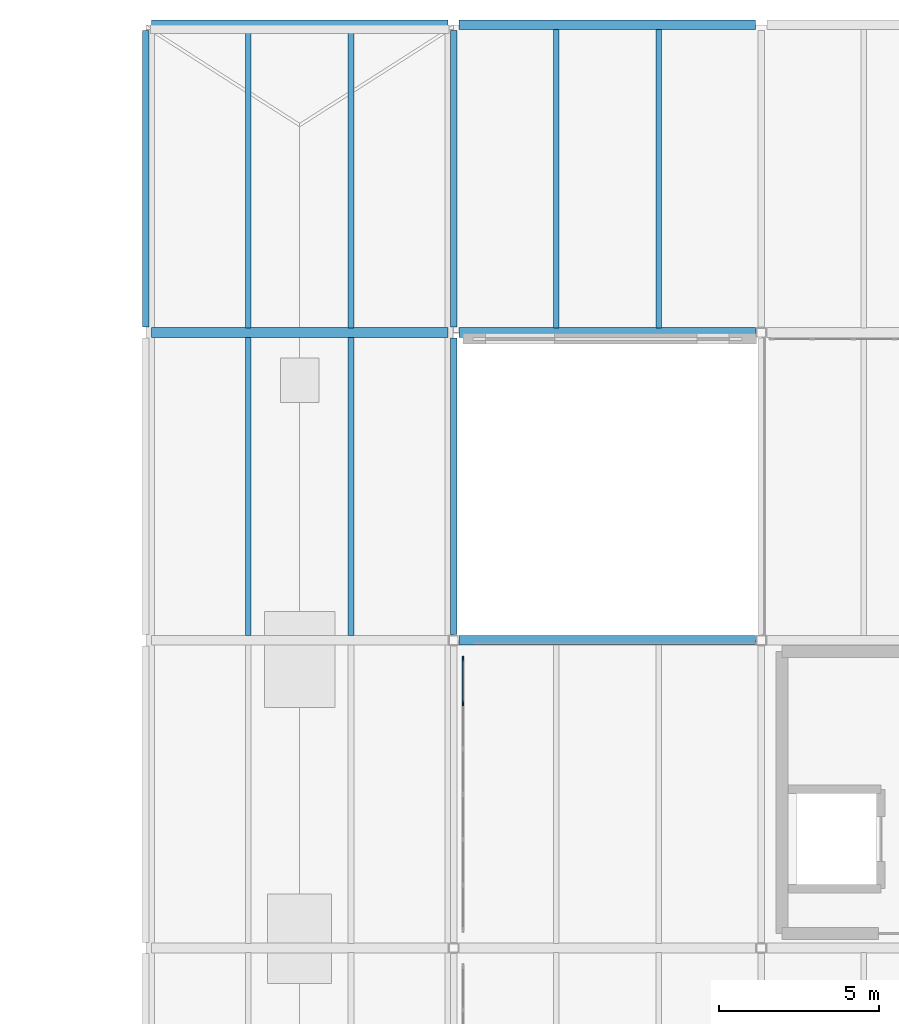
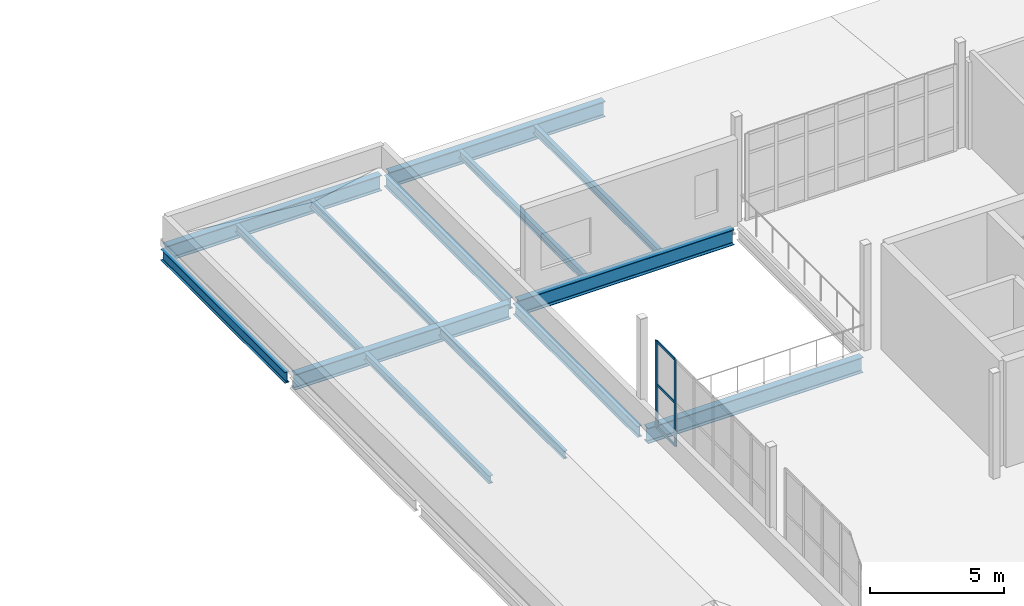
# One storey, part 45 of 112: 14 beams, 5 members, 1 element without a shape of its own.
"""IFC4 building model written with IfcOpenShell, lengths in metres."""

import ifcopenshell
import ifcopenshell.guid

model = None  # the IFC model being written
_history = None  # IfcOwnerHistory: only IFC2X3 demands one
_inside = {}  # id of a spatial element -> (the spatial element, [elements in it])
_under = {}  # id of a project, library or spatial element -> (it, [spatial elements below it])
_declared = {}  # id of a project -> (the project, [libraries it declares])
_typed = {}  # id of a type object -> (the type object, [elements of that type])
_made_of = {}  # id of a material, layer set ... -> (it, [elements and type objects made of it])


def new_model(schema):
    """Start an empty IFC model of exactly this schema.

    Asked for "IFC4X3", IfcOpenShell would pick the latest addendum, in which some entities
    have other attributes; the version numbers below select the first issue.
    IFC2X3 requires an IfcOwnerHistory on every rooted entity: one is made here for all.
    """
    global model, _history
    if schema == "IFC4X3":
        model = ifcopenshell.file(schema_version=(4, 3, 0, 0))
    else:
        model = ifcopenshell.file(schema=schema)
    _inside.clear()
    _under.clear()
    _declared.clear()
    _typed.clear()
    _made_of.clear()
    _history = None
    if model.schema == "IFC2X3":
        org = make("IfcOrganization", Name="unknown")
        user = make(
            "IfcPersonAndOrganization",
            ThePerson=make("IfcPerson", FamilyName="unknown"),
            TheOrganization=org,
        )
        app = make(
            "IfcApplication",
            ApplicationDeveloper=org,
            Version="unknown",
            ApplicationFullName="unknown",
            ApplicationIdentifier="unknown",
        )
        _history = make(
            "IfcOwnerHistory",
            OwningUser=user,
            OwningApplication=app,
            ChangeAction="ADDED",
            CreationDate=0,
        )
    return model


def make(cls, **values):
    """One entity of the class cls with the attributes given. An attribute that is None is left unset."""
    return model.create_entity(
        cls, **{name: value for name, value in values.items() if value is not None}
    )


def rooted(cls, **values):
    """An entity with a GlobalId (a new one), such as an element, a storey or a relation."""
    return make(cls, GlobalId=ifcopenshell.guid.new(), OwnerHistory=_history, **values)


def si_unit(unit_type, name, prefix=None):
    """IfcSIUnit, for example si_unit("LENGTHUNIT", "METRE", prefix="MILLI")."""
    return make("IfcSIUnit", UnitType=unit_type, Prefix=prefix, Name=name)


def assignment(units):
    """IfcUnitAssignment: the units of a project."""
    return None if units is None else make("IfcUnitAssignment", Units=units)


def point(xyz):
    """IfcCartesianPoint."""
    return None if xyz is None else make("IfcCartesianPoint", Coordinates=xyz)


def direction(xyz):
    """IfcDirection."""
    return None if xyz is None else make("IfcDirection", DirectionRatios=xyz)


def frame(location, z_axis=None, x_axis=None):
    """IfcAxis2Placement3D, a coordinate frame: its origin and axes. An axis left out is left unset."""
    return make(
        "IfcAxis2Placement3D",
        Location=point(location),
        Axis=direction(z_axis),
        RefDirection=direction(x_axis),
    )


def frame_2d(location, x_axis=None):
    """IfcAxis2Placement2D, a coordinate frame in the plane: its origin and x axis."""
    return make(
        "IfcAxis2Placement2D", Location=point(location), RefDirection=direction(x_axis)
    )


def origin():
    """The frame at (0, 0, 0) with its axes left unset."""
    return frame((0.0, 0.0, 0.0))


def origin_2d():
    """The frame at (0, 0) in the plane with its x axis left unset."""
    return frame_2d((0.0, 0.0))


def place(relative_to, where):
    """IfcLocalPlacement: puts the frame where relative to a parent placement (None: the world)."""
    return make(
        "IfcLocalPlacement", PlacementRelTo=relative_to, RelativePlacement=where
    )


def context(
    kind, dimensions, precision=None, world=None, true_north=None, identifier=None
):
    """IfcGeometricRepresentationContext, for example the 3D "Model" context."""
    return make(
        "IfcGeometricRepresentationContext",
        ContextIdentifier=identifier,
        ContextType=kind,
        CoordinateSpaceDimension=dimensions,
        Precision=precision,
        WorldCoordinateSystem=world,
        TrueNorth=true_north,
    )


def subcontext(parent, identifier, kind, view, scale=None):
    """IfcGeometricRepresentationSubContext, for example "Body" below "Model"."""
    return make(
        "IfcGeometricRepresentationSubContext",
        ContextIdentifier=identifier,
        ContextType=kind,
        ParentContext=parent,
        TargetScale=scale,
        TargetView=view,
    )


def project(units=None, contexts=None):
    """IfcProject with its units and contexts."""
    return rooted(
        "IfcProject",
        Name="project",
        RepresentationContexts=contexts,
        UnitsInContext=assignment(units),
    )


def spatial(cls, under=None, at=None, **own):
    """A site, building, storey or space (cls), placed at a placement, below another one or the project."""
    s = rooted(cls, ObjectPlacement=at, **own)
    if under is not None:
        _under.setdefault(under.id(), (under, []))[1].append(s)
    return s


def profile(cls, at=None, kind="AREA", **sizes):
    """A parametric profile (cls). Its sizes go by their IFC names, for example OverallWidth=200.0."""
    return make(cls, ProfileType=kind, Position=at, **sizes)


def rectangle(**sizes):
    """IfcRectangleProfileDef."""
    return profile("IfcRectangleProfileDef", **sizes)


def i_section(**sizes):
    """IfcIShapeProfileDef."""
    return profile("IfcIShapeProfileDef", **sizes)


def extrude(swept, where, along, depth):
    """IfcExtrudedAreaSolid: the profile swept, set in the frame where, extruded along a direction by depth."""
    return make(
        "IfcExtrudedAreaSolid",
        SweptArea=swept,
        Position=where,
        ExtrudedDirection=direction(along),
        Depth=depth,
    )


def shape(context_of_items, identifier, shape_type, items):
    """IfcShapeRepresentation: the items that make up one representation, for example the "Body"."""
    return make(
        "IfcShapeRepresentation",
        ContextOfItems=context_of_items,
        RepresentationIdentifier=identifier,
        RepresentationType=shape_type,
        Items=items,
    )


def material(Name=None, Category=None):
    """IfcMaterial."""
    return make("IfcMaterial", Name=Name, Category=Category)


def layer(
    of_material, thickness, ventilated=None, Name=None, Category=None, Priority=None
):
    """IfcMaterialLayer: one layer of a wall or slab, of a material (None: an air gap)."""
    return make(
        "IfcMaterialLayer",
        Material=of_material,
        LayerThickness=thickness,
        IsVentilated=ventilated,
        Name=Name,
        Category=Category,
        Priority=Priority,
    )


def layer_set(layers, Name=None):
    """IfcMaterialLayerSet."""
    return make("IfcMaterialLayerSet", MaterialLayers=layers, LayerSetName=Name)


def material_profile(
    of_material, cross_section, Name=None, Category=None, Priority=None
):
    """IfcMaterialProfile: a cross section and its material."""
    return make(
        "IfcMaterialProfile",
        Name=Name,
        Material=of_material,
        Profile=cross_section,
        Priority=Priority,
        Category=Category,
    )


def profile_set(profiles, Name=None, composite=None):
    """IfcMaterialProfileSet."""
    return make(
        "IfcMaterialProfileSet",
        Name=Name,
        MaterialProfiles=profiles,
        CompositeProfile=composite,
    )


def made_of(thing, what):
    """Note that an element or type object is made of a material, layer set ...; save() writes the relation."""
    if what is not None:
        _made_of.setdefault(what.id(), (what, []))[1].append(thing)
    return thing


def type_object(cls, material=None, **own):
    """A type object (cls), such as IfcWallType, which elements share."""
    return made_of(rooted(cls, **own), material)


def element(
    cls,
    number,
    at=None,
    inside=None,
    cuts=None,
    type_object=None,
    material=None,
    context=None,
    identifier="Body",
    shape_type=None,
    held_by="IfcProductDefinitionShape",
    body=None,
    shapes=None,
    **own,
):
    """One element of the class cls, such as IfcWall. Its Tag is "e" and its number.

    at: its placement. inside: the storey or other place that contains it. cuts: it is an
    opening in that element (IfcRelVoidsElement). A single representation is given by context,
    identifier, shape_type and body (its items); several are given by shapes. held_by: the class
    of the entity that holds the representations. save() writes the other relations.
    """
    e = rooted(cls, Tag="e%d" % number, ObjectPlacement=at, **own)
    if body is not None:
        shapes = [shape(context, identifier, shape_type, body)]
    if shapes is not None:
        e.Representation = make(held_by, Representations=shapes)
    if inside is not None:
        _inside.setdefault(inside.id(), (inside, []))[1].append(e)
    if cuts is not None:
        rooted(
            "IfcRelVoidsElement", RelatingBuildingElement=cuts, RelatedOpeningElement=e
        )
    if type_object is not None:
        _typed.setdefault(type_object.id(), (type_object, []))[1].append(e)
    return made_of(e, material)


def aggregate(whole, parts):
    """IfcRelAggregates: a whole, such as a stair, and the parts it consists of."""
    return rooted("IfcRelAggregates", RelatingObject=whole, RelatedObjects=parts)


def save(model, path):
    """Write the relations noted so far, then the file.

    IfcRelAggregates (storeys below a building ...), IfcRelContainedInSpatialStructure (elements
    in a storey), IfcRelDefinesByType, IfcRelAssociatesMaterial and IfcRelDeclares: one each for
    every whole, place, type object, material and project.
    """
    for whole, parts in _under.values():
        aggregate(whole, parts)
    for where, things in _inside.values():
        rooted(
            "IfcRelContainedInSpatialStructure",
            RelatedElements=things,
            RelatingStructure=where,
        )
    for kind, things in _typed.values():
        rooted("IfcRelDefinesByType", RelatedObjects=things, RelatingType=kind)
    for what, things in _made_of.values():
        rooted("IfcRelAssociatesMaterial", RelatedObjects=things, RelatingMaterial=what)
    for by, libraries in _declared.values():
        rooted("IfcRelDeclares", RelatingContext=by, RelatedDefinitions=libraries)
    model.write(path)


model = new_model("IFC4")

# Units and contexts
model_context = context("Model", 3, precision=1e-05, world=origin(), true_north=direction((0.0, 1.0)))
body_context = subcontext(model_context, "Body", "Model", "MODEL_VIEW")
ifc_project = project(units=[si_unit("LENGTHUNIT", "METRE"), si_unit("AREAUNIT", "SQUARE_METRE"), si_unit("VOLUMEUNIT", "CUBIC_METRE"), si_unit("PLANEANGLEUNIT", "RADIAN"), si_unit("MASSUNIT", "GRAM", prefix="KILO")], contexts=[model_context])

# Site, building, storey
site_placement = place(None, origin())
site = spatial("IfcSite", under=ifc_project, at=site_placement, CompositionType="ELEMENT")
building_placement = place(site_placement, origin())
building = spatial("IfcBuilding", under=site, at=building_placement, Name="Yeouljin Market Hall", CompositionType="ELEMENT")
storey_placement = place(building_placement, frame((0.0, 0.0, 6.0)))
storey = spatial("IfcBuildingStorey", under=building, at=storey_placement, Name="L01", CompositionType="ELEMENT", Elevation=6.0)

# Beams
ifc_material_1 = material(Name="Steel SM355", Category="steel")
ifc_material_profile_1 = material_profile(ifc_material_1, i_section(OverallWidth=0.199951171875, OverallDepth=0.5, WebThickness=0.010009765625, FlangeThickness=0.01611328125, FilletRadius=0.02001953125, at=origin_2d()), Name="H-500x200x10x16")
ifc_profile_set_1 = profile_set([ifc_material_profile_1], Name="Steel SM355")
beam_type_1 = type_object("IfcBeamType", Name="Beam_H-500x200x10x16", PredefinedType="BEAM", material=ifc_profile_set_1)
for number, where, z_axis, x_axis, name in (
    (1, (45.0, 108.175048828125, -0.530029296875), (0.0, 1.0, 0.0), (-1.0, 0.0, 0.0), "Primary beam BM-L01-Y161"),
    (2, (54.60009765625, 98.574951171875, -0.530029296875), (0.0, 1.0, 0.0), (-1.0, 0.0, 0.0), "Primary beam BM-L01-Y165"),
    (3, (54.60009765625, 108.175048828125, -0.530029296875), (0.0, 1.0, 0.0), (-1.0, 0.0, 0.0), "Primary beam BM-L01-Y166"),
):
    element("IfcBeam", number, at=place(storey_placement, frame(where, z_axis=z_axis, x_axis=x_axis)), inside=storey, type_object=beam_type_1, Name=name, PredefinedType="BEAM", context=body_context, shape_type="SweptSolid", body=[
        extrude(i_section(OverallWidth=0.199951171875, OverallDepth=0.5, WebThickness=0.010009765625, FlangeThickness=0.01611328125, FilletRadius=0.02001953125, at=origin_2d()), origin(), (0.0, 0.0, 1.0), 9.25),
    ])

# Curtain wall, members
ifc_material_2 = material(Name="Thermally Broken Aluminium", Category="aluminium")
ifc_layer = layer(ifc_material_2, 0.14990234375)
ifc_layer_set = layer_set([ifc_layer], Name="Thermally Broken Aluminium")
curtain_wall_type = type_object("IfcCurtainWallType", Name="CW_WingStorefront_System", PredefinedType="USERDEFINED", material=ifc_layer_set)
curtain_wall_placement = place(storey_placement, origin())
curtain_wall = element("IfcCurtainWall", 4, at=curtain_wall_placement, inside=storey, type_object=curtain_wall_type, Name="Curtain wall CW-CRT-L01-22", ObjectType="CURTAIN WALL", PredefinedType="USERDEFINED")
ifc_material_3 = material(Name="Thermally Broken Aluminium", Category="aluminium")
ifc_material_profile_2 = material_profile(ifc_material_3, rectangle(XDim=0.048095703125, YDim=0.14990234375, at=origin_2d()), Name="CW-MULL-48x150")
ifc_profile_set_2 = profile_set([ifc_material_profile_2], Name="Thermally Broken Aluminium")
member_type_1 = type_object("IfcMemberType", Name="CWMullion_48x150", PredefinedType="MULLION", material=ifc_profile_set_2)
member_1_placement = place(storey_placement, frame((54.89990234375, 96.433349609375, 0.0), z_axis=(0.0, 0.0, 1.0), x_axis=(-1.0, 0.0, 0.0)))
member_1 = element("IfcMember", 5, at=member_1_placement, type_object=member_type_1, Name="CW-04 mullion 6", PredefinedType="MULLION", context=body_context, shape_type="SweptSolid", body=[
    extrude(rectangle(XDim=0.048095703125, YDim=0.14990234375, at=origin_2d()), origin(), (0.0, 0.0, 1.0), 3.949951171875),
])
member_2_placement = place(storey_placement, frame((54.89990234375, 97.825927734375, 0.0), z_axis=(0.0, 0.0, 1.0), x_axis=(-1.0, 0.0, 0.0)))
member_2 = element("IfcMember", 6, at=member_2_placement, type_object=member_type_1, Name="CW-04 mullion 7", PredefinedType="MULLION", context=body_context, shape_type="SweptSolid", body=[
    extrude(rectangle(XDim=0.048095703125, YDim=0.14990234375, at=origin_2d()), origin(), (0.0, 0.0, 1.0), 3.949951171875),
])
ifc_material_4 = material(Name="Thermally Broken Aluminium", Category="aluminium")
ifc_material_profile_3 = material_profile(ifc_material_4, rectangle(XDim=0.048095703125, YDim=0.1201171875, at=origin_2d()), Name="CW-TRAN-48x120")
ifc_profile_set_3 = profile_set([ifc_material_profile_3], Name="Thermally Broken Aluminium")
member_type_2 = type_object("IfcMemberType", Name="CWTransom_48x120", PredefinedType="USERDEFINED", material=ifc_profile_set_3)
member_3_placement = place(storey_placement, frame((54.89990234375, 96.457275390625, 0.02392578125), z_axis=(0.0, 1.0, 0.0), x_axis=(-1.0, 0.0, 0.0)))
member_3 = element("IfcMember", 7, at=member_3_placement, type_object=member_type_2, Name="CW-04 transom 6.1", ObjectType="TRANSOM", PredefinedType="USERDEFINED", context=body_context, shape_type="SweptSolid", body=[
    extrude(rectangle(XDim=0.048095703125, YDim=0.1201171875, at=origin_2d()), origin(), (0.0, 0.0, 1.0), 1.3447265625),
])
member_4_placement = place(storey_placement, frame((54.89990234375, 96.457275390625, 1.97509765625), z_axis=(0.0, 1.0, 0.0), x_axis=(-1.0, 0.0, 0.0)))
member_4 = element("IfcMember", 8, at=member_4_placement, type_object=member_type_2, Name="CW-04 transom 6.2", ObjectType="TRANSOM", PredefinedType="USERDEFINED", context=body_context, shape_type="SweptSolid", body=[
    extrude(rectangle(XDim=0.048095703125, YDim=0.1201171875, at=origin_2d()), origin(), (0.0, 0.0, 1.0), 1.3447265625),
])
member_5_placement = place(storey_placement, frame((54.89990234375, 96.457275390625, 3.926025390625), z_axis=(0.0, 1.0, 0.0), x_axis=(-1.0, 0.0, 0.0)))
member_5 = element("IfcMember", 9, at=member_5_placement, type_object=member_type_2, Name="CW-04 transom 6.3", ObjectType="TRANSOM", PredefinedType="USERDEFINED", context=body_context, shape_type="SweptSolid", body=[
    extrude(rectangle(XDim=0.048095703125, YDim=0.1201171875, at=origin_2d()), origin(), (0.0, 0.0, 1.0), 1.3447265625),
])
aggregate(curtain_wall, [member_1, member_2, member_3, member_4, member_5])

# Beams
ifc_material_5 = material(Name="Steel SM355", Category="steel")
ifc_material_profile_4 = material_profile(ifc_material_5, i_section(OverallWidth=0.300048828125, OverallDepth=0.699951171875, WebThickness=0.012939453125, FlangeThickness=0.02392578125, FilletRadius=0.02587890625, at=origin_2d()), Name="H-700x300x13x24")
ifc_profile_set_4 = profile_set([ifc_material_profile_4], Name="Steel SM355")
beam_type_2 = type_object("IfcBeamType", Name="Girder_H-700x300x13x24", PredefinedType="USERDEFINED", material=ifc_profile_set_4)
for number, where, z_axis, x_axis, name in (
    (10, (54.77490234375, 98.39990234375, -0.610107421875), (1.0, 0.0, 0.0), (0.0, 1.0, 0.0), "Primary girder GRD-L01-X107"),
    (11, (45.175048828125, 108.0, -0.6298828125), (1.0, 0.0, 0.0), (0.0, 1.0, 0.0), "Primary girder GRD-L01-X115"),
    (12, (45.175048828125, 117.60009765625, -0.6298828125), (1.0, 0.0, 0.0), (0.0, 1.0, 0.0), "Primary girder GRD-L01-X122"),
    (13, (54.77490234375, 117.60009765625, -0.6298828125), (1.0, 0.0, 0.0), (0.0, 1.0, 0.0), "Primary girder GRD-V4DK-X01"),
    (14, (54.77490234375, 108.0, -0.6298828125), (1.0, 0.0, 0.0), (0.0, 1.0, 0.0), "Primary girder GRD-V4DK-X08"),
):
    element("IfcBeam", number, at=place(storey_placement, frame(where, z_axis=z_axis, x_axis=x_axis)), inside=storey, type_object=beam_type_2, Name=name, ObjectType="GIRDER", PredefinedType="USERDEFINED", context=body_context, shape_type="SweptSolid", body=[
        extrude(i_section(OverallWidth=0.300048828125, OverallDepth=0.699951171875, WebThickness=0.012939453125, FlangeThickness=0.02392578125, FilletRadius=0.02587890625, at=origin_2d()), origin(), (0.0, 0.0, 1.0), 9.25),
    ])
ifc_material_6 = material(Name="Steel SM355", Category="steel")
ifc_material_profile_5 = material_profile(ifc_material_6, i_section(OverallWidth=0.175048828125, OverallDepth=0.35009765625, WebThickness=0.007080078125, FlangeThickness=0.010986328125, FilletRadius=0.013916015625, at=origin_2d()), Name="H-350x175x7x11")
ifc_profile_set_5 = profile_set([ifc_material_profile_5], Name="Steel SM355")
beam_type_3 = type_object("IfcBeamType", Name="Joist_H-350x175x7x11", PredefinedType="JOIST", material=ifc_profile_set_5)
for number, where, z_axis, x_axis, name in (
    (15, (48.199951171875, 98.547119140625, -0.455078125), (0.0, 1.0, 0.0), (-1.0, 0.0, 0.0), "Secondary floor joist L01-038"),
    (16, (51.39990234375, 98.547119140625, -0.455078125), (0.0, 1.0, 0.0), (-1.0, 0.0, 0.0), "Secondary floor joist L01-039"),
    (17, (48.199951171875, 108.14697265625, -0.455078125), (0.0, 1.0, 0.0), (-1.0, 0.0, 0.0), "Secondary floor joist L01-040"),
    (18, (51.39990234375, 108.14697265625, -0.455078125), (0.0, 1.0, 0.0), (-1.0, 0.0, 0.0), "Secondary floor joist L01-041"),
    (19, (57.800048828125, 108.14697265625, -0.455078125), (0.0, 1.0, 0.0), (-1.0, 0.0, 0.0), "Secondary floor joist JST-V4DK-01"),
    (20, (61.0, 108.14697265625, -0.455078125), (0.0, 1.0, 0.0), (-1.0, 0.0, 0.0), "Secondary floor joist JST-V4DK-02"),
):
    element("IfcBeam", number, at=place(storey_placement, frame(where, z_axis=z_axis, x_axis=x_axis)), inside=storey, type_object=beam_type_3, Name=name, PredefinedType="JOIST", context=body_context, shape_type="SweptSolid", body=[
        extrude(i_section(OverallWidth=0.175048828125, OverallDepth=0.35009765625, WebThickness=0.007080078125, FlangeThickness=0.010986328125, FilletRadius=0.013916015625, at=origin_2d()), origin(), (0.0, 0.0, 1.0), 9.305908203125),
    ])

save(model, "model.ifc")
